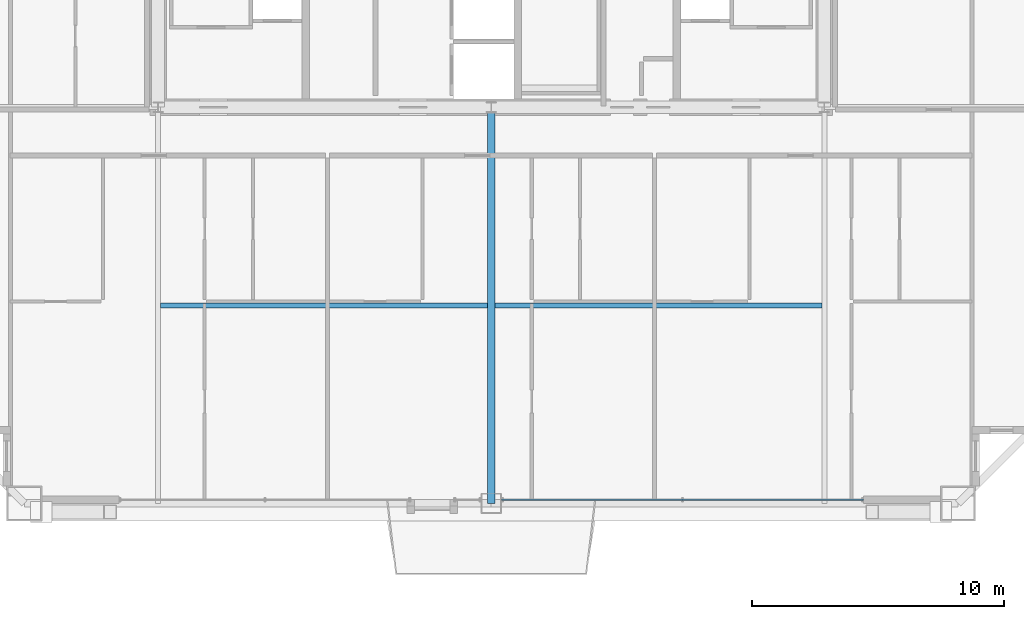
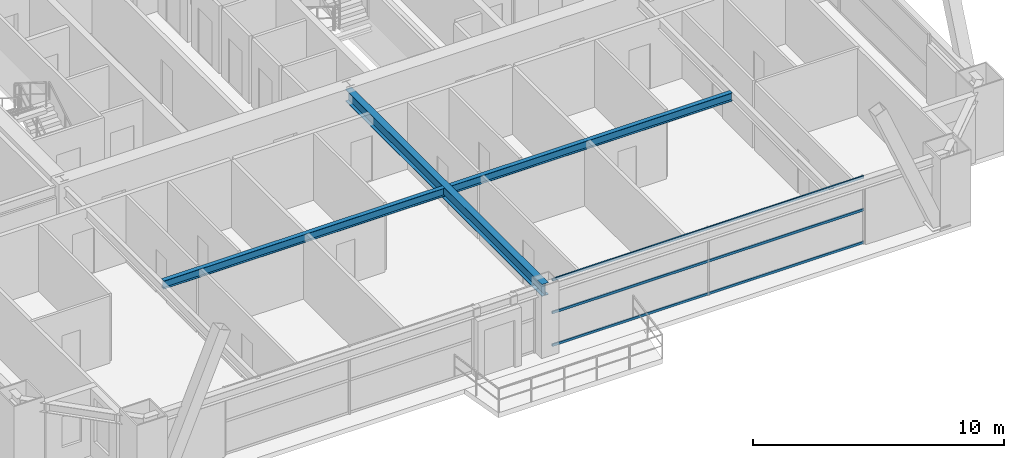
# One storey, part 10 of 42: 3 beams, 3 members, 1 element without a shape of its own.
"""IFC4 building model written with IfcOpenShell, lengths in metres."""

from ifc_helpers import new_model, si_unit, direction, frame, origin, origin_2d, place, context, subcontext, project, spatial, hollow_rectangle, i_section, extrude, source, transform, mapped, material, layer, layer_set, material_profile, profile_set, type_object, element, aggregate, save


model = new_model("IFC4")

# Units and contexts
model_context = context("Model", 3, precision=1e-05, world=origin(), true_north=direction((0.0, 1.0)))
body_context = subcontext(model_context, "Body", "Model", "MODEL_VIEW")
ifc_project = project(units=[si_unit("LENGTHUNIT", "METRE"), si_unit("AREAUNIT", "SQUARE_METRE"), si_unit("VOLUMEUNIT", "CUBIC_METRE"), si_unit("PLANEANGLEUNIT", "RADIAN"), si_unit("MASSUNIT", "GRAM", prefix="KILO"), si_unit("THERMODYNAMICTEMPERATUREUNIT", "KELVIN"), si_unit("POWERUNIT", "WATT")], contexts=[model_context])

# Site, building, storey
site_placement = place(None, origin())
site = spatial("IfcSite", under=ifc_project, at=site_placement, CompositionType="ELEMENT")
building_placement = place(site_placement, origin())
building = spatial("IfcBuilding", under=site, at=building_placement, Name="Yuzanri Waterfront Tower", CompositionType="ELEMENT")
storey_placement = place(building_placement, frame((0.0, 0.0, 205.5)))
storey = spatial("IfcBuildingStorey", under=building, at=storey_placement, Name="L54", CompositionType="ELEMENT", Elevation=205.5)

# Beams
ifc_material_1 = material(Name="Steel Q355B", Category="steel")
ifc_material_profile_1 = material_profile(ifc_material_1, i_section(OverallWidth=0.199951171875, OverallDepth=0.39990234375, WebThickness=0.008056640625, FlangeThickness=0.012939453125, at=origin_2d()), Name="HN 400x200x8x13")
ifc_profile_set_1 = profile_set([ifc_material_profile_1], Name="Steel Q355B")
beam_type_1 = type_object("IfcBeamType", Name="Floor Joist Q355B HN 400x200", PredefinedType="JOIST", material=ifc_profile_set_1)
shared_shape_1 = source(origin(), body_context, "Body", "SweptSolid", [
    extrude(i_section(OverallWidth=0.199951171875, OverallDepth=0.39990234375, WebThickness=0.008056640625, FlangeThickness=0.012939453125, at=origin_2d()), origin(), (0.0, 0.0, 1.0), 12.9501953125),
])
for number, where, z_axis, x_axis, name in (
    (1, (23.89990234375, 11.550048828125, 3.080078125), (1.0, 0.0, 0.0), (0.0, 1.0, 0.0), "L54 South Bay Joist W"),
    (2, (37.14990234375, 11.550048828125, 3.080078125), (1.0, 0.0, 0.0), (0.0, 1.0, 0.0), "L54 South Bay Joist E"),
):
    element("IfcBeam", number, at=place(storey_placement, frame(where, z_axis=z_axis, x_axis=x_axis)), inside=storey, type_object=beam_type_1, Name=name, PredefinedType="JOIST", context=body_context, shape_type="MappedRepresentation", body=[
        mapped(shared_shape_1, transform((0.0, 0.0, 0.0), scale=1.0)),
    ])
ifc_material_2 = material(Name="Steel Q355B", Category="steel")
ifc_material_profile_2 = material_profile(ifc_material_2, i_section(OverallWidth=0.300048828125, OverallDepth=0.587890625, WebThickness=0.011962890625, FlangeThickness=0.02001953125, at=origin_2d()), Name="HM 588x300x12x20")
ifc_profile_set_2 = profile_set([ifc_material_profile_2], Name="Steel Q355B")
beam_type_2 = type_object("IfcBeamType", Name="Primary Floor Girder Q355B HM 588x300", PredefinedType="BEAM", material=ifc_profile_set_2)
shared_shape_2 = source(origin(), body_context, "Body", "SweptSolid", [
    extrude(i_section(OverallWidth=0.300048828125, OverallDepth=0.587890625, WebThickness=0.011962890625, FlangeThickness=0.02001953125, at=origin_2d()), origin(), (0.0, 0.0, 1.0), 15.699951171875),
])
beam_placement = place(storey_placement, frame((37.0, 19.39990234375, 2.986083984375), z_axis=(0.0, -1.0, 0.0), x_axis=(1.0, 0.0, 0.0)))
element("IfcBeam", 3, at=beam_placement, inside=storey, type_object=beam_type_2, Name="L54 South Grid Girder", PredefinedType="BEAM", context=body_context, shape_type="MappedRepresentation", body=[
    mapped(shared_shape_2, transform((0.0, 0.0, 0.0), scale=1.0)),
])

# Curtain wall, members
ifc_material_3 = material(Name="Anodized Architectural Bronze", Category="metal")
ifc_layer = layer(ifc_material_3, 0.159912109375)
ifc_layer_set = layer_set([ifc_layer], Name="Anodized Architectural Bronze")
curtain_wall_type = type_object("IfcCurtainWallType", Name="Anodized Bronze Mid-Rise Residential Acoustic Unitized Curtain Wall 7200", PredefinedType="NOTDEFINED", material=ifc_layer_set)
curtain_wall_placement = place(storey_placement, origin())
curtain_wall = element("IfcCurtainWall", 4, at=curtain_wall_placement, inside=storey, type_object=curtain_wall_type, Name="L54 Curtain Wall CW-L54-SR", PredefinedType="NOTDEFINED")
ifc_material_4 = material(Name="Anodized Architectural Bronze", Category="metal")
ifc_material_profile_3 = material_profile(ifc_material_4, hollow_rectangle(XDim=0.06494140625, YDim=0.1201171875, WallThickness=0.00341796875, at=origin_2d()), Name="CWT 65x120")
ifc_profile_set_3 = profile_set([ifc_material_profile_3], Name="Anodized Architectural Bronze")
member_type = type_object("IfcMemberType", Name="Anodized Bronze Secondary Curtain-Wall Transom 65x120", PredefinedType="USERDEFINED", material=ifc_profile_set_3)
shared_shape_3 = source(origin(), body_context, "Body", "SweptSolid", [
    extrude(hollow_rectangle(XDim=0.06494140625, YDim=0.1201171875, WallThickness=0.00341796875, at=origin_2d()), origin(), (0.0, 0.0, 1.0), 14.35009765625),
])
member_1_placement = place(storey_placement, frame((37.39990234375, 3.85009765625, 0.050048828125), z_axis=(1.0, 0.0, 0.0), x_axis=(0.0, 1.0, 0.0)))
member_1 = element("IfcMember", 5, at=member_1_placement, type_object=member_type, Name="CW-L54-SR Transom 1", ObjectType="TRANSOM", PredefinedType="USERDEFINED", context=body_context, shape_type="MappedRepresentation", body=[
    mapped(shared_shape_3, transform((0.0, 0.0, 0.0), scale=1.0)),
])
member_2_placement = place(storey_placement, frame((37.39990234375, 3.85009765625, 1.639892578125), z_axis=(1.0, 0.0, 0.0), x_axis=(0.0, 1.0, 0.0)))
member_2 = element("IfcMember", 6, at=member_2_placement, type_object=member_type, Name="CW-L54-SR Transom 2", ObjectType="TRANSOM", PredefinedType="USERDEFINED", context=body_context, shape_type="MappedRepresentation", body=[
    mapped(shared_shape_3, transform((0.0, 0.0, 0.0), scale=1.0)),
])
member_3_placement = place(storey_placement, frame((37.39990234375, 3.85009765625, 3.22998046875), z_axis=(1.0, 0.0, 0.0), x_axis=(0.0, 1.0, 0.0)))
member_3 = element("IfcMember", 7, at=member_3_placement, type_object=member_type, Name="CW-L54-SR Transom 3", ObjectType="TRANSOM", PredefinedType="USERDEFINED", context=body_context, shape_type="MappedRepresentation", body=[
    mapped(shared_shape_3, transform((0.0, 0.0, 0.0), scale=1.0)),
])
aggregate(curtain_wall, [member_1, member_2, member_3])

save(model, "model.ifc")
